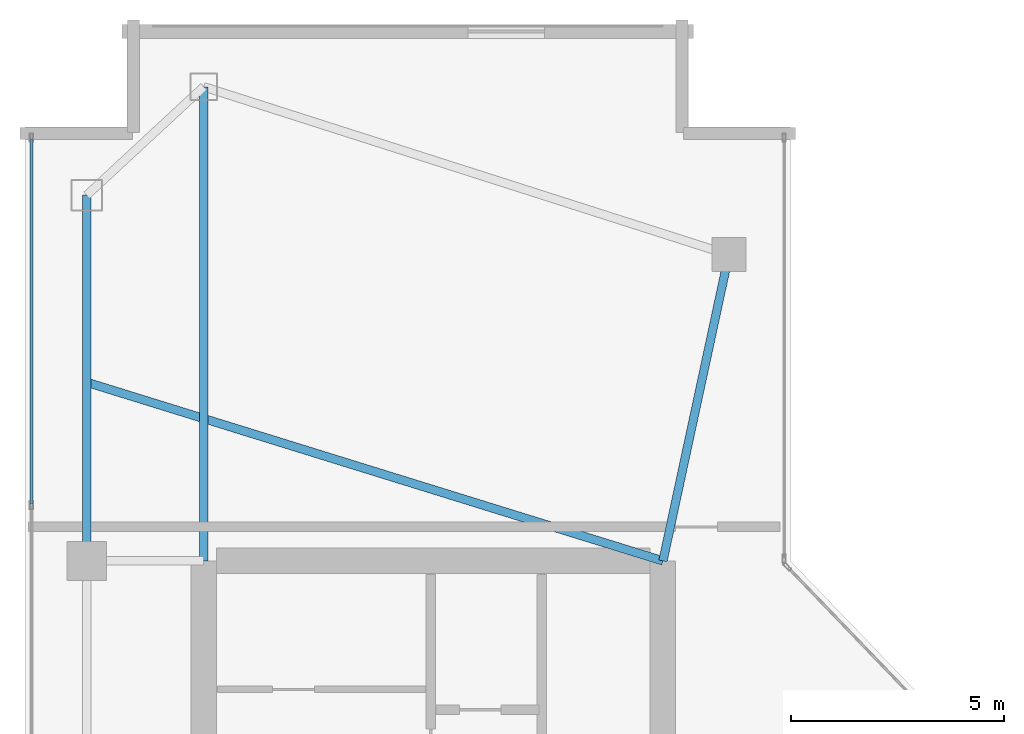
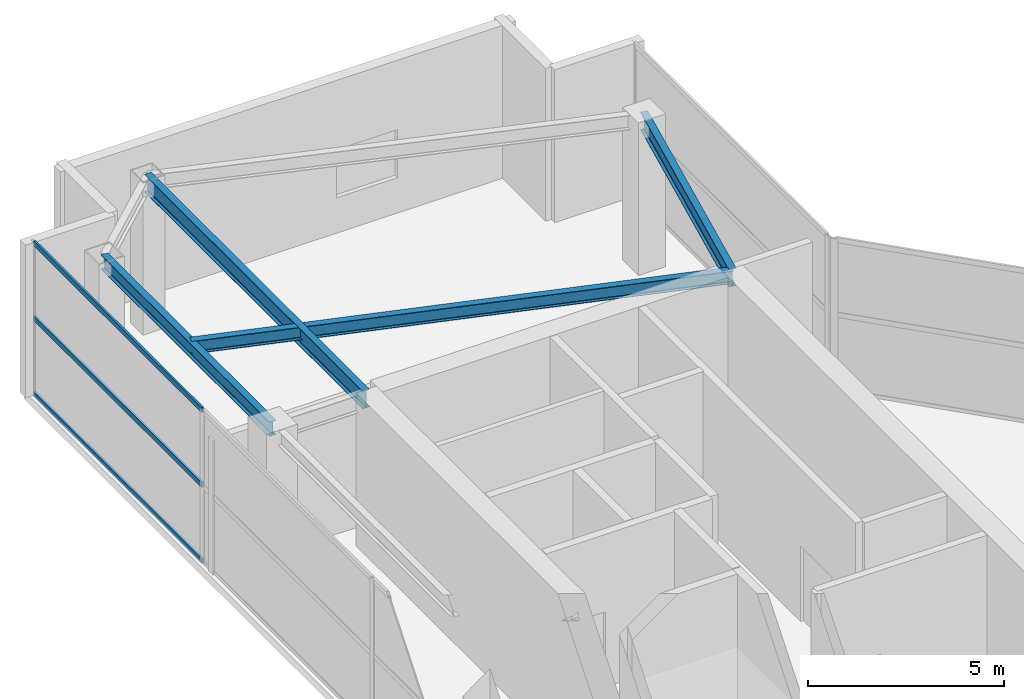
# One storey, part 15 of 22: 4 beams, 3 members, 1 element without a shape of its own.
"""IFC4 building model written with IfcOpenShell, lengths in metres."""

import ifcopenshell
import ifcopenshell.guid

model = None  # the IFC model being written
_history = None  # IfcOwnerHistory: only IFC2X3 demands one
_inside = {}  # id of a spatial element -> (the spatial element, [elements in it])
_under = {}  # id of a project, library or spatial element -> (it, [spatial elements below it])
_declared = {}  # id of a project -> (the project, [libraries it declares])
_typed = {}  # id of a type object -> (the type object, [elements of that type])
_made_of = {}  # id of a material, layer set ... -> (it, [elements and type objects made of it])


def new_model(schema):
    """Start an empty IFC model of exactly this schema.

    Asked for "IFC4X3", IfcOpenShell would pick the latest addendum, in which some entities
    have other attributes; the version numbers below select the first issue.
    IFC2X3 requires an IfcOwnerHistory on every rooted entity: one is made here for all.
    """
    global model, _history
    if schema == "IFC4X3":
        model = ifcopenshell.file(schema_version=(4, 3, 0, 0))
    else:
        model = ifcopenshell.file(schema=schema)
    _inside.clear()
    _under.clear()
    _declared.clear()
    _typed.clear()
    _made_of.clear()
    _history = None
    if model.schema == "IFC2X3":
        org = make("IfcOrganization", Name="unknown")
        user = make(
            "IfcPersonAndOrganization",
            ThePerson=make("IfcPerson", FamilyName="unknown"),
            TheOrganization=org,
        )
        app = make(
            "IfcApplication",
            ApplicationDeveloper=org,
            Version="unknown",
            ApplicationFullName="unknown",
            ApplicationIdentifier="unknown",
        )
        _history = make(
            "IfcOwnerHistory",
            OwningUser=user,
            OwningApplication=app,
            ChangeAction="ADDED",
            CreationDate=0,
        )
    return model


def make(cls, **values):
    """One entity of the class cls with the attributes given. An attribute that is None is left unset."""
    return model.create_entity(
        cls, **{name: value for name, value in values.items() if value is not None}
    )


def rooted(cls, **values):
    """An entity with a GlobalId (a new one), such as an element, a storey or a relation."""
    return make(cls, GlobalId=ifcopenshell.guid.new(), OwnerHistory=_history, **values)


def si_unit(unit_type, name, prefix=None):
    """IfcSIUnit, for example si_unit("LENGTHUNIT", "METRE", prefix="MILLI")."""
    return make("IfcSIUnit", UnitType=unit_type, Prefix=prefix, Name=name)


def assignment(units):
    """IfcUnitAssignment: the units of a project."""
    return None if units is None else make("IfcUnitAssignment", Units=units)


def point(xyz):
    """IfcCartesianPoint."""
    return None if xyz is None else make("IfcCartesianPoint", Coordinates=xyz)


def direction(xyz):
    """IfcDirection."""
    return None if xyz is None else make("IfcDirection", DirectionRatios=xyz)


def frame(location, z_axis=None, x_axis=None):
    """IfcAxis2Placement3D, a coordinate frame: its origin and axes. An axis left out is left unset."""
    return make(
        "IfcAxis2Placement3D",
        Location=point(location),
        Axis=direction(z_axis),
        RefDirection=direction(x_axis),
    )


def frame_2d(location, x_axis=None):
    """IfcAxis2Placement2D, a coordinate frame in the plane: its origin and x axis."""
    return make(
        "IfcAxis2Placement2D", Location=point(location), RefDirection=direction(x_axis)
    )


def origin():
    """The frame at (0, 0, 0) with its axes left unset."""
    return frame((0.0, 0.0, 0.0))


def origin_2d():
    """The frame at (0, 0) in the plane with its x axis left unset."""
    return frame_2d((0.0, 0.0))


def place(relative_to, where):
    """IfcLocalPlacement: puts the frame where relative to a parent placement (None: the world)."""
    return make(
        "IfcLocalPlacement", PlacementRelTo=relative_to, RelativePlacement=where
    )


def context(
    kind, dimensions, precision=None, world=None, true_north=None, identifier=None
):
    """IfcGeometricRepresentationContext, for example the 3D "Model" context."""
    return make(
        "IfcGeometricRepresentationContext",
        ContextIdentifier=identifier,
        ContextType=kind,
        CoordinateSpaceDimension=dimensions,
        Precision=precision,
        WorldCoordinateSystem=world,
        TrueNorth=true_north,
    )


def subcontext(parent, identifier, kind, view, scale=None):
    """IfcGeometricRepresentationSubContext, for example "Body" below "Model"."""
    return make(
        "IfcGeometricRepresentationSubContext",
        ContextIdentifier=identifier,
        ContextType=kind,
        ParentContext=parent,
        TargetScale=scale,
        TargetView=view,
    )


def project(units=None, contexts=None):
    """IfcProject with its units and contexts."""
    return rooted(
        "IfcProject",
        Name="project",
        RepresentationContexts=contexts,
        UnitsInContext=assignment(units),
    )


def spatial(cls, under=None, at=None, **own):
    """A site, building, storey or space (cls), placed at a placement, below another one or the project."""
    s = rooted(cls, ObjectPlacement=at, **own)
    if under is not None:
        _under.setdefault(under.id(), (under, []))[1].append(s)
    return s


def profile(cls, at=None, kind="AREA", **sizes):
    """A parametric profile (cls). Its sizes go by their IFC names, for example OverallWidth=200.0."""
    return make(cls, ProfileType=kind, Position=at, **sizes)


def hollow_rectangle(**sizes):
    """IfcRectangleHollowProfileDef."""
    return profile("IfcRectangleHollowProfileDef", **sizes)


def i_section(**sizes):
    """IfcIShapeProfileDef."""
    return profile("IfcIShapeProfileDef", **sizes)


def extrude(swept, where, along, depth):
    """IfcExtrudedAreaSolid: the profile swept, set in the frame where, extruded along a direction by depth."""
    return make(
        "IfcExtrudedAreaSolid",
        SweptArea=swept,
        Position=where,
        ExtrudedDirection=direction(along),
        Depth=depth,
    )


def shape(context_of_items, identifier, shape_type, items):
    """IfcShapeRepresentation: the items that make up one representation, for example the "Body"."""
    return make(
        "IfcShapeRepresentation",
        ContextOfItems=context_of_items,
        RepresentationIdentifier=identifier,
        RepresentationType=shape_type,
        Items=items,
    )


def material(Name=None, Category=None):
    """IfcMaterial."""
    return make("IfcMaterial", Name=Name, Category=Category)


def layer(
    of_material, thickness, ventilated=None, Name=None, Category=None, Priority=None
):
    """IfcMaterialLayer: one layer of a wall or slab, of a material (None: an air gap)."""
    return make(
        "IfcMaterialLayer",
        Material=of_material,
        LayerThickness=thickness,
        IsVentilated=ventilated,
        Name=Name,
        Category=Category,
        Priority=Priority,
    )


def layer_set(layers, Name=None):
    """IfcMaterialLayerSet."""
    return make("IfcMaterialLayerSet", MaterialLayers=layers, LayerSetName=Name)


def material_profile(
    of_material, cross_section, Name=None, Category=None, Priority=None
):
    """IfcMaterialProfile: a cross section and its material."""
    return make(
        "IfcMaterialProfile",
        Name=Name,
        Material=of_material,
        Profile=cross_section,
        Priority=Priority,
        Category=Category,
    )


def profile_set(profiles, Name=None, composite=None):
    """IfcMaterialProfileSet."""
    return make(
        "IfcMaterialProfileSet",
        Name=Name,
        MaterialProfiles=profiles,
        CompositeProfile=composite,
    )


def made_of(thing, what):
    """Note that an element or type object is made of a material, layer set ...; save() writes the relation."""
    if what is not None:
        _made_of.setdefault(what.id(), (what, []))[1].append(thing)
    return thing


def type_object(cls, material=None, **own):
    """A type object (cls), such as IfcWallType, which elements share."""
    return made_of(rooted(cls, **own), material)


def element(
    cls,
    number,
    at=None,
    inside=None,
    cuts=None,
    type_object=None,
    material=None,
    context=None,
    identifier="Body",
    shape_type=None,
    held_by="IfcProductDefinitionShape",
    body=None,
    shapes=None,
    **own,
):
    """One element of the class cls, such as IfcWall. Its Tag is "e" and its number.

    at: its placement. inside: the storey or other place that contains it. cuts: it is an
    opening in that element (IfcRelVoidsElement). A single representation is given by context,
    identifier, shape_type and body (its items); several are given by shapes. held_by: the class
    of the entity that holds the representations. save() writes the other relations.
    """
    e = rooted(cls, Tag="e%d" % number, ObjectPlacement=at, **own)
    if body is not None:
        shapes = [shape(context, identifier, shape_type, body)]
    if shapes is not None:
        e.Representation = make(held_by, Representations=shapes)
    if inside is not None:
        _inside.setdefault(inside.id(), (inside, []))[1].append(e)
    if cuts is not None:
        rooted(
            "IfcRelVoidsElement", RelatingBuildingElement=cuts, RelatedOpeningElement=e
        )
    if type_object is not None:
        _typed.setdefault(type_object.id(), (type_object, []))[1].append(e)
    return made_of(e, material)


def aggregate(whole, parts):
    """IfcRelAggregates: a whole, such as a stair, and the parts it consists of."""
    return rooted("IfcRelAggregates", RelatingObject=whole, RelatedObjects=parts)


def save(model, path):
    """Write the relations noted so far, then the file.

    IfcRelAggregates (storeys below a building ...), IfcRelContainedInSpatialStructure (elements
    in a storey), IfcRelDefinesByType, IfcRelAssociatesMaterial and IfcRelDeclares: one each for
    every whole, place, type object, material and project.
    """
    for whole, parts in _under.values():
        aggregate(whole, parts)
    for where, things in _inside.values():
        rooted(
            "IfcRelContainedInSpatialStructure",
            RelatedElements=things,
            RelatingStructure=where,
        )
    for kind, things in _typed.values():
        rooted("IfcRelDefinesByType", RelatedObjects=things, RelatingType=kind)
    for what, things in _made_of.values():
        rooted("IfcRelAssociatesMaterial", RelatedObjects=things, RelatingMaterial=what)
    for by, libraries in _declared.values():
        rooted("IfcRelDeclares", RelatingContext=by, RelatedDefinitions=libraries)
    model.write(path)


model = new_model("IFC4")

# Units and contexts
model_context = context("Model", 3, precision=1e-05, world=origin(), true_north=direction((0.0, 1.0)))
body_context = subcontext(model_context, "Body", "Model", "MODEL_VIEW")
ifc_project = project(units=[si_unit("LENGTHUNIT", "METRE"), si_unit("AREAUNIT", "SQUARE_METRE"), si_unit("VOLUMEUNIT", "CUBIC_METRE"), si_unit("PLANEANGLEUNIT", "RADIAN"), si_unit("MASSUNIT", "GRAM", prefix="KILO")], contexts=[model_context])

# Site, building, storey
site_placement = place(None, origin())
site = spatial("IfcSite", under=ifc_project, at=site_placement, CompositionType="ELEMENT")
building_placement = place(site_placement, origin())
building = spatial("IfcBuilding", under=site, at=building_placement, Name="Calvorn Quay Hotel", CompositionType="ELEMENT")
storey_placement = place(building_placement, frame((0.0, 0.0, 325.5)))
storey = spatial("IfcBuildingStorey", under=building, at=storey_placement, Name="L80", CompositionType="ELEMENT", Elevation=325.5)

# Beams
ifc_material_1 = material(Name="Steel Q355B", Category="steel")
ifc_material_profile_1 = material_profile(ifc_material_1, i_section(OverallWidth=0.199951171875, OverallDepth=0.550048828125, WebThickness=0.010009765625, FlangeThickness=0.01611328125, FilletRadius=0.01806640625, at=origin_2d()), Name="HN550x200x10x16")
ifc_profile_set_1 = profile_set([ifc_material_profile_1], Name="Steel Q355B")
beam_type_1 = type_object("IfcBeamType", Name="BM-GIRD-UPP", PredefinedType="BEAM", material=ifc_profile_set_1)
beam_1_placement = place(storey_placement, frame((4.199951171875, 49.550048828125, 4.465087890625), z_axis=(0.0, -1.0, 0.0), x_axis=(1.0, 0.0, 0.0)))
element("IfcBeam", 1, at=beam_1_placement, inside=storey, type_object=beam_type_1, Name="Beam BG-L80-W5", PredefinedType="BEAM", context=body_context, shape_type="SweptSolid", body=[
    extrude(i_section(OverallWidth=0.199951171875, OverallDepth=0.550048828125, WebThickness=0.010009765625, FlangeThickness=0.01611328125, FilletRadius=0.01806640625, at=origin_2d()), origin(), (0.0, 0.0, 1.0), 11.150146484375),
])
beam_2_placement = place(storey_placement, frame((16.550048828125, 45.60009765625, 4.465087890625), z_axis=(-0.210457140491, -0.97760308511, 0.0), x_axis=(0.97760308511, -0.210457140491, 0.0)))
element("IfcBeam", 2, at=beam_2_placement, inside=storey, type_object=beam_type_1, Name="Beam BG-L80-W6", PredefinedType="BEAM", context=body_context, shape_type="SweptSolid", body=[
    extrude(i_section(OverallWidth=0.199951171875, OverallDepth=0.550048828125, WebThickness=0.010009765625, FlangeThickness=0.01611328125, FilletRadius=0.01806640625, at=origin_2d()), origin(), (0.0, 0.0, 1.0), 7.365234375),
])
ifc_material_2 = material(Name="Steel Q355B", Category="steel")
ifc_material_profile_2 = material_profile(ifc_material_2, i_section(OverallWidth=0.199951171875, OverallDepth=0.39990234375, WebThickness=0.008056640625, FlangeThickness=0.012939453125, FilletRadius=0.01611328125, at=origin_2d()), Name="HN400x200x8x13")
ifc_profile_set_2 = profile_set([ifc_material_profile_2], Name="Steel Q355B")
beam_type_2 = type_object("IfcBeamType", Name="BM-JOIST-TYP", PredefinedType="JOIST", material=ifc_profile_set_2)
beam_3_placement = place(storey_placement, frame((1.449951171875, 42.60009765625, 4.5400390625), z_axis=(0.955163702122, -0.296078202759, 0.0), x_axis=(0.296078202759, 0.955163702122, 0.0)))
element("IfcBeam", 3, at=beam_3_placement, inside=storey, type_object=beam_type_2, Name="Beam BJ-L80-W2", PredefinedType="JOIST", context=body_context, shape_type="SweptSolid", body=[
    extrude(i_section(OverallWidth=0.199951171875, OverallDepth=0.39990234375, WebThickness=0.008056640625, FlangeThickness=0.012939453125, FilletRadius=0.01611328125, at=origin_2d()), origin(), (0.0, 0.0, 1.0), 14.18603515625),
])
ifc_material_3 = material(Name="Steel Q355B", Category="steel")
ifc_material_profile_3 = material_profile(ifc_material_3, i_section(OverallWidth=0.199951171875, OverallDepth=0.449951171875, WebThickness=0.009033203125, FlangeThickness=0.013916015625, FilletRadius=0.01611328125, at=origin_2d()), Name="HN450x200x9x14")
ifc_profile_set_3 = profile_set([ifc_material_profile_3], Name="Steel Q355B")
beam_type_3 = type_object("IfcBeamType", Name="BM-SPANDREL-Z3", PredefinedType="SPANDREL", material=ifc_profile_set_3)
beam_4_placement = place(storey_placement, frame((1.449951171875, 38.39990234375, 4.514892578125), z_axis=(0.0, 1.0, 0.0), x_axis=(-1.0, 0.0, 0.0)))
element("IfcBeam", 4, at=beam_4_placement, inside=storey, type_object=beam_type_3, Name="Beam BSP-L80-W4", PredefinedType="SPANDREL", context=body_context, shape_type="SweptSolid", body=[
    extrude(i_section(OverallWidth=0.199951171875, OverallDepth=0.449951171875, WebThickness=0.009033203125, FlangeThickness=0.013916015625, FilletRadius=0.01611328125, at=origin_2d()), origin(), (0.0, 0.0, 1.0), 8.60009765625),
])

# Curtain wall, members
ifc_material_4 = material(Name="Pale Anodised Aluminium and Laminated Glass", Category="aluminium")
ifc_layer = layer(ifc_material_4, 0.219970703125)
ifc_layer_set = layer_set([ifc_layer], Name="CW-SYS-CRN")
curtain_wall_type = type_object("IfcCurtainWallType", Name="CW-SYS-CRN", PredefinedType="NOTDEFINED", material=ifc_layer_set)
curtain_wall_placement = place(storey_placement, origin())
curtain_wall = element("IfcCurtainWall", 5, at=curtain_wall_placement, inside=storey, type_object=curtain_wall_type, Name="Crown Curtain Wall L80-C5", PredefinedType="NOTDEFINED")
ifc_material_5 = material(Name="Pale Anodised Aluminium 6063-T6", Category="aluminium")
ifc_material_profile_4 = material_profile(ifc_material_5, hollow_rectangle(XDim=0.06201171875, YDim=0.159912109375, WallThickness=0.00341796875, at=origin_2d()), Name="ALU-T160x62x3.5")
ifc_profile_set_4 = profile_set([ifc_material_profile_4], Name="Pale Anodised Aluminium 6063-T6")
member_type = type_object("IfcMemberType", Name="CW-SYS-CRN-TRN", PredefinedType="USERDEFINED", material=ifc_profile_set_4)
member_1_placement = place(storey_placement, frame((0.14990234375, 48.320068359375, 0.030029296875), z_axis=(0.0, -1.0, 0.0), x_axis=(1.0, 0.0, 0.0)))
member_1 = element("IfcMember", 6, at=member_1_placement, type_object=member_type, Name="CW-L80-C5 transom 1.1", ObjectType="TRANSOM", PredefinedType="USERDEFINED", context=body_context, shape_type="SweptSolid", body=[
    extrude(hollow_rectangle(XDim=0.06201171875, YDim=0.159912109375, WallThickness=0.00341796875, at=origin_2d()), origin(), (0.0, 0.0, 1.0), 8.58203125),
])
member_2_placement = place(storey_placement, frame((0.14990234375, 48.320068359375, 2.39990234375), z_axis=(0.0, -1.0, 0.0), x_axis=(1.0, 0.0, 0.0)))
member_2 = element("IfcMember", 7, at=member_2_placement, type_object=member_type, Name="CW-L80-C5 transom 1.2", ObjectType="TRANSOM", PredefinedType="USERDEFINED", context=body_context, shape_type="SweptSolid", body=[
    extrude(hollow_rectangle(XDim=0.06201171875, YDim=0.159912109375, WallThickness=0.00341796875, at=origin_2d()), origin(), (0.0, 0.0, 1.0), 8.58203125),
])
member_3_placement = place(storey_placement, frame((0.14990234375, 48.320068359375, 4.72998046875), z_axis=(0.0, -1.0, 0.0), x_axis=(1.0, 0.0, 0.0)))
member_3 = element("IfcMember", 8, at=member_3_placement, type_object=member_type, Name="CW-L80-C5 transom 1.3", ObjectType="TRANSOM", PredefinedType="USERDEFINED", context=body_context, shape_type="SweptSolid", body=[
    extrude(hollow_rectangle(XDim=0.06201171875, YDim=0.159912109375, WallThickness=0.00341796875, at=origin_2d()), origin(), (0.0, 0.0, 1.0), 8.58203125),
])
aggregate(curtain_wall, [member_1, member_2, member_3])

save(model, "model.ifc")
